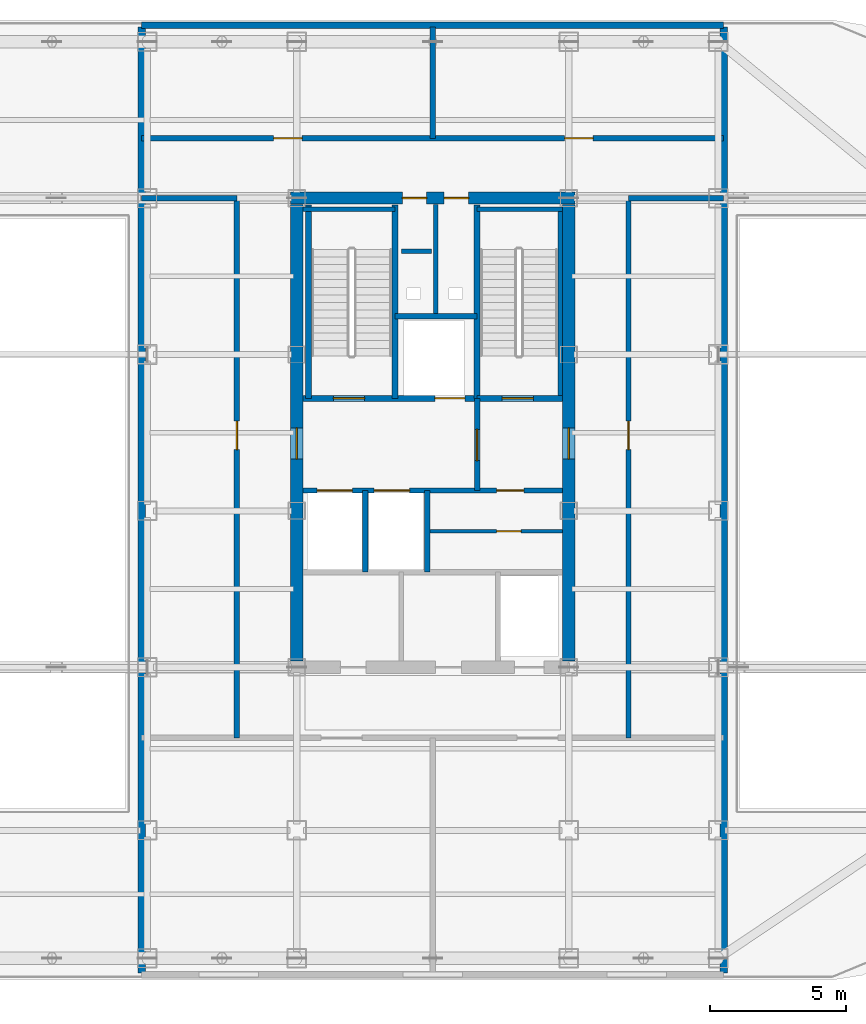
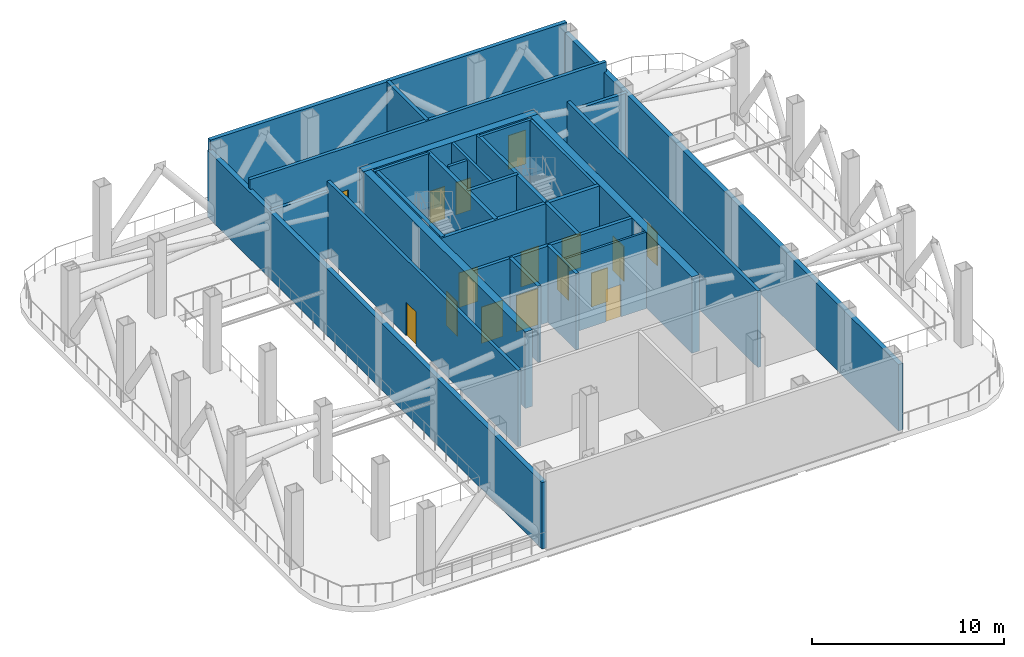
# One storey, part 6 of 10: 28 walls, 16 doors, 16 openings.
"""IFC4 building model written with IfcOpenShell, lengths in metres."""

from ifc_helpers import new_model, si_unit, direction, frame, frame_2d, origin, place, context, subcontext, project, spatial, rectangle, extrude, material, layer, layer_set, type_object, element, fill, save


model = new_model("IFC4")

# Units and contexts
model_context = context("Model", 3, precision=1e-05, world=origin(), true_north=direction((0.0, 1.0)))
body_context = subcontext(model_context, "Body", "Model", "MODEL_VIEW")
ifc_project = project(units=[si_unit("LENGTHUNIT", "METRE"), si_unit("AREAUNIT", "SQUARE_METRE"), si_unit("VOLUMEUNIT", "CUBIC_METRE"), si_unit("PLANEANGLEUNIT", "RADIAN"), si_unit("MASSUNIT", "GRAM", prefix="KILO")], contexts=[model_context])

# Site, building, storey
site_placement = place(None, origin())
site = spatial("IfcSite", under=ifc_project, at=site_placement, CompositionType="ELEMENT")
building_placement = place(site_placement, origin())
building = spatial("IfcBuilding", under=site, at=building_placement, Name="Kolveth Station Tower", CompositionType="ELEMENT")
storey_placement = place(building_placement, frame((0.0, 0.0, 188.10009765625)))
storey = spatial("IfcBuildingStorey", under=building, at=storey_placement, Name="L53", CompositionType="ELEMENT", Elevation=188.10009765625)

# Wall, openings, doors
ifc_material_1 = material(Name="Concrete C50/60", Category="concrete")
ifc_layer_1 = layer(ifc_material_1, 0.449951171875)
ifc_layer_set_1 = layer_set([ifc_layer_1], Name="Concrete C50/60")
wall_type_1 = type_object("IfcWallType", Name="Wall_CW-450", PredefinedType="SHEAR", material=ifc_layer_set_1)
wall_1_placement = place(storey_placement, frame((18.27490234375, 28.75, 0.0), z_axis=(0.0, 0.0, 1.0), x_axis=(1.0, 0.0, 0.0)))
wall_1 = element("IfcWall", 1, at=wall_1_placement, inside=storey, type_object=wall_type_1, Name="L53 Core RC Shear Wall N", PredefinedType="SHEAR", context=body_context, shape_type="SweptSolid", body=[
    extrude(rectangle(XDim=10.4501953125, YDim=0.449951171875, at=frame_2d((5.22509765625, 0.0))), origin(), (0.0, 0.0, 1.0), 4.849853515625),
])
opening_1_placement = place(wall_1_placement, frame((4.10498046875, 0.0, 0.0)))
opening_1 = element("IfcOpeningElement", 2, at=opening_1_placement, cuts=wall_1, Name="Opening RD1", PredefinedType="OPENING", context=body_context, shape_type="SweptSolid", body=[
    extrude(rectangle(XDim=0.89990234375, YDim=2.050048828125, at=frame_2d((0.449951171875, 1.02490234375))), frame((0.0, 0.23486328125, 0.0), z_axis=(0.0, -1.0, 0.0), x_axis=(1.0, 0.0, 0.0)), (0.0, 0.0, 1.0), 0.469970703125),
])
opening_2_placement = place(wall_1_placement, frame((5.64501953125, 0.0, 0.0)))
opening_2 = element("IfcOpeningElement", 3, at=opening_2_placement, cuts=wall_1, Name="Opening RD1", PredefinedType="OPENING", context=body_context, shape_type="SweptSolid", body=[
    extrude(rectangle(XDim=0.89990234375, YDim=2.050048828125, at=frame_2d((0.449951171875, 1.02490234375))), frame((0.0, 0.23486328125, 0.0), z_axis=(0.0, -1.0, 0.0), x_axis=(1.0, 0.0, 0.0)), (0.0, 0.0, 1.0), 0.469970703125),
])
ifc_material_2 = material(Name="Fire-rated Steel S355 riser access leaf", Category="steel")
door_type_1 = type_object("IfcDoorType", Name="Door_RD1", OperationType="NOTDEFINED", PredefinedType="DOOR", material=ifc_material_2)
door_1_placement = place(opening_1_placement, origin())
door_1 = element("IfcDoor", 4, at=door_1_placement, inside=storey, type_object=door_type_1, Name="L53 Electrical Riser Access Door", OperationType="SINGLE_SWING_RIGHT", OverallHeight=2.050048828125, OverallWidth=0.89990234375, PredefinedType="DOOR", context=body_context, shape_type="SweptSolid", body=[
    extrude(rectangle(XDim=0.89990234375, YDim=2.050048828125, at=frame_2d((0.449951171875, 1.02490234375))), frame((0.0, 0.02490234375, 0.0), z_axis=(0.0, -1.0, 0.0), x_axis=(1.0, 0.0, 0.0)), (0.0, 0.0, 1.0), 0.050048828125),
])
fill(opening_1, door_1)
door_2_placement = place(opening_2_placement, origin())
door_2 = element("IfcDoor", 5, at=door_2_placement, inside=storey, type_object=door_type_1, Name="L53 Smoke Duct Access Door", OperationType="SINGLE_SWING_LEFT", OverallHeight=2.050048828125, OverallWidth=0.89990234375, PredefinedType="DOOR", context=body_context, shape_type="SweptSolid", body=[
    extrude(rectangle(XDim=0.89990234375, YDim=2.050048828125, at=frame_2d((0.449951171875, 1.02490234375))), frame((0.0, 0.02490234375, 0.0), z_axis=(0.0, -1.0, 0.0), x_axis=(1.0, 0.0, 0.0)), (0.0, 0.0, 1.0), 0.050048828125),
])
fill(opening_2, door_2)

# Wall, opening, door
wall_2_placement = place(storey_placement, frame((18.5, 11.72509765625, 0.0), z_axis=(0.0, 0.0, 1.0), x_axis=(0.0, 1.0, 0.0)))
wall_2 = element("IfcWall", 6, at=wall_2_placement, inside=storey, type_object=wall_type_1, Name="L53 Core RC Shear Wall W", PredefinedType="SHEAR", context=body_context, shape_type="SweptSolid", body=[
    extrude(rectangle(XDim=16.7998046875, YDim=0.449951171875, at=frame_2d((8.39990234375, 0.0))), origin(), (0.0, 0.0, 1.0), 4.849853515625),
])
opening_3_placement = place(wall_2_placement, frame((7.425048828125, 0.0, 0.0)))
opening_3 = element("IfcOpeningElement", 7, at=opening_3_placement, cuts=wall_2, Name="Opening FD1", PredefinedType="OPENING", context=body_context, shape_type="SweptSolid", body=[
    extrude(rectangle(XDim=1.14990234375, YDim=2.199951171875, at=frame_2d((0.574951171875, 1.10009765625))), frame((0.0, 0.23486328125, 0.0), z_axis=(0.0, -1.0, 0.0), x_axis=(1.0, 0.0, 0.0)), (0.0, 0.0, 1.0), 0.469970703125),
])
ifc_material_3 = material(Name="Fire-rated Steel S355 leaf and frame", Category="steel")
door_type_2 = type_object("IfcDoorType", Name="Door_FD1", OperationType="NOTDEFINED", PredefinedType="DOOR", material=ifc_material_3)
door_3_placement = place(opening_3_placement, frame((1.14990234375, 0.0, 0.0), z_axis=(0.0, 0.0, 1.0), x_axis=(-1.0, 0.0, 0.0)))
door_3 = element("IfcDoor", 8, at=door_3_placement, inside=storey, type_object=door_type_2, Name="L53 West Corridor to Firefighting Lobby Door", OperationType="SINGLE_SWING_RIGHT", OverallHeight=2.199951171875, OverallWidth=1.14990234375, PredefinedType="DOOR", context=body_context, shape_type="SweptSolid", body=[
    extrude(rectangle(XDim=1.14990234375, YDim=2.199951171875, at=frame_2d((0.574951171875, 1.10009765625))), frame((0.0, 0.02490234375, 0.0), z_axis=(0.0, -1.0, 0.0), x_axis=(1.0, 0.0, 0.0)), (0.0, 0.0, 1.0), 0.050048828125),
])
fill(opening_3, door_3)

wall_3_placement = place(storey_placement, frame((28.5, 11.72509765625, 0.0), z_axis=(0.0, 0.0, 1.0), x_axis=(0.0, 1.0, 0.0)))
wall_3 = element("IfcWall", 9, at=wall_3_placement, inside=storey, type_object=wall_type_1, Name="L53 Core RC Shear Wall E", PredefinedType="SHEAR", context=body_context, shape_type="SweptSolid", body=[
    extrude(rectangle(XDim=16.7998046875, YDim=0.449951171875, at=frame_2d((8.39990234375, 0.0))), origin(), (0.0, 0.0, 1.0), 4.849853515625),
])
opening_4_placement = place(wall_3_placement, frame((7.425048828125, 0.0, 0.0)))
opening_4 = element("IfcOpeningElement", 10, at=opening_4_placement, cuts=wall_3, Name="Opening FD1", PredefinedType="OPENING", context=body_context, shape_type="SweptSolid", body=[
    extrude(rectangle(XDim=1.14990234375, YDim=2.199951171875, at=frame_2d((0.574951171875, 1.10009765625))), frame((0.0, 0.23486328125, 0.0), z_axis=(0.0, -1.0, 0.0), x_axis=(1.0, 0.0, 0.0)), (0.0, 0.0, 1.0), 0.469970703125),
])
door_4_placement = place(opening_4_placement, origin())
door_4 = element("IfcDoor", 11, at=door_4_placement, inside=storey, type_object=door_type_2, Name="L53 East Corridor to Stair Lobby Door", OperationType="SINGLE_SWING_LEFT", OverallHeight=2.199951171875, OverallWidth=1.14990234375, PredefinedType="DOOR", context=body_context, shape_type="SweptSolid", body=[
    extrude(rectangle(XDim=1.14990234375, YDim=2.199951171875, at=frame_2d((0.574951171875, 1.10009765625))), frame((0.0, 0.02490234375, 0.0), z_axis=(0.0, -1.0, 0.0), x_axis=(1.0, 0.0, 0.0)), (0.0, 0.0, 1.0), 0.050048828125),
])
fill(opening_4, door_4)

# Walls
ifc_material_4 = material(Name="Precast concrete C40/50", Category="concrete")
ifc_layer_2 = layer(ifc_material_4, 0.239990234375)
ifc_layer_set_2 = layer_set([ifc_layer_2], Name="Precast concrete C40/50")
wall_type_2 = type_object("IfcWallType", Name="Wall_EW-240", PredefinedType="SOLIDWALL", material=ifc_layer_set_2)
wall_4_placement = place(storey_placement, frame((34.199951171875, 35.10009765625, 0.0), z_axis=(0.0, 0.0, 1.0), x_axis=(-1.0, 0.0, 0.0)))
element("IfcWall", 12, at=wall_4_placement, inside=storey, type_object=wall_type_2, Name="L53 Wind-Slot Plant Exterior Wall 2", PredefinedType="SOLIDWALL", context=body_context, shape_type="SweptSolid", body=[
    extrude(rectangle(XDim=21.39990234375, YDim=0.239990234375, at=frame_2d((10.699951171875, 0.0))), origin(), (0.0, 0.0, 1.0), 4.849853515625),
])
ifc_layer_3 = layer(ifc_material_4, 0.280029296875)
ifc_layer_set_3 = layer_set([ifc_layer_3], Name="Precast concrete C40/50")
wall_type_3 = type_object("IfcWallType", Name="Wall_EW-280", PredefinedType="SOLIDWALL", material=ifc_layer_set_3)
for number, where, z_axis, x_axis, name in (
    (13, (12.800048828125, 0.25, 0.0), (0.0, 0.0, 1.0), (0.0, 1.0, 0.0), "L53 Partition Wall WL-L53-WS-W"),
    (14, (34.199951171875, 0.25, 0.0), (0.0, 0.0, 1.0), (0.0, 1.0, 0.0), "L53 Partition Wall WL-L53-WS-E"),
):
    element("IfcWall", number, at=place(storey_placement, frame(where, z_axis=z_axis, x_axis=x_axis)), inside=storey, type_object=wall_type_3, Name=name, PredefinedType="SOLIDWALL", context=body_context, shape_type="SweptSolid", body=[
        extrude(rectangle(XDim=34.800048828125, YDim=0.280029296875, at=frame_2d((17.39990234375, 0.0))), origin(), (0.0, 0.0, 1.0), 4.222900390625),
    ])

# Wall, opening, door
ifc_material_5 = material(Name="Moisture-resistant gypsum partition")
ifc_layer_4 = layer(ifc_material_5, 0.135009765625)
ifc_layer_set_4 = layer_set([ifc_layer_4], Name="Moisture-resistant gypsum partition")
wall_type_4 = type_object("IfcWallType", Name="Wall_IW-135", PredefinedType="PARTITIONING", material=ifc_layer_set_4)
wall_5_placement = place(storey_placement, frame((23.300048828125, 16.5, 0.0), z_axis=(0.0, 0.0, 1.0), x_axis=(1.0, 0.0, 0.0)))
wall_5 = element("IfcWall", 15, at=wall_5_placement, inside=storey, type_object=wall_type_4, Name="L53 Partition Wall WL-L53-CB-H1", PredefinedType="PARTITIONING", context=body_context, shape_type="SweptSolid", body=[
    extrude(rectangle(XDim=4.96484375, YDim=0.135009765625, at=frame_2d((2.482421875, 0.0))), origin(), (0.0, 0.0, 1.0), 4.849853515625),
])
opening_5_placement = place(wall_5_placement, frame((2.550048828125, 0.0, 0.0)))
opening_5 = element("IfcOpeningElement", 16, at=opening_5_placement, cuts=wall_5, Name="Opening RD1", PredefinedType="OPENING", context=body_context, shape_type="SweptSolid", body=[
    extrude(rectangle(XDim=0.89990234375, YDim=2.050048828125, at=frame_2d((0.449951171875, 1.02490234375))), frame((0.0, 0.077392578125, 0.0), z_axis=(0.0, -1.0, 0.0), x_axis=(1.0, 0.0, 0.0)), (0.0, 0.0, 1.0), 0.155029296875),
])
door_5_placement = place(opening_5_placement, frame((0.89990234375, 0.0, 0.0), z_axis=(0.0, 0.0, 1.0), x_axis=(-1.0, 0.0, 0.0)))
door_5 = element("IfcDoor", 17, at=door_5_placement, inside=storey, type_object=door_type_1, Name="L53 Core Equipment Store Door", OperationType="SINGLE_SWING_LEFT", OverallHeight=2.050048828125, OverallWidth=0.89990234375, PredefinedType="DOOR", context=body_context, shape_type="SweptSolid", body=[
    extrude(rectangle(XDim=0.89990234375, YDim=2.050048828125, at=frame_2d((0.449951171875, 1.02490234375))), frame((0.0, 0.02490234375, 0.0), z_axis=(0.0, -1.0, 0.0), x_axis=(1.0, 0.0, 0.0)), (0.0, 0.0, 1.0), 0.050048828125),
])
fill(opening_5, door_5)

# Walls
ifc_material_6 = material(Name="Acoustic double-stud gypsum partition")
ifc_layer_5 = layer(ifc_material_6, 0.1650390625)
ifc_layer_set_5 = layer_set([ifc_layer_5], Name="Acoustic double-stud gypsum partition")
wall_type_5 = type_object("IfcWallType", Name="Wall_IW-165", PredefinedType="PARTITIONING", material=ifc_layer_set_5)
wall_6_placement = place(storey_placement, frame((18.735107421875, 28.3349609375, 0.0), z_axis=(0.0, 0.0, 1.0), x_axis=(1.0, 0.0, 0.0)))
element("IfcWall", 18, at=wall_6_placement, inside=storey, type_object=wall_type_5, Name="L53 Stair Shaft Wall WL-L53-ST1-N", PredefinedType="PARTITIONING", context=body_context, shape_type="SweptSolid", body=[
    extrude(rectangle(XDim=3.375, YDim=0.1650390625, at=frame_2d((1.6875, 0.0))), origin(), (0.0, 0.0, 1.0), 4.849853515625),
])
wall_7_placement = place(storey_placement, frame((25.1298828125, 28.3349609375, 0.0), z_axis=(0.0, 0.0, 1.0), x_axis=(1.0, 0.0, 0.0)))
element("IfcWall", 19, at=wall_7_placement, inside=storey, type_object=wall_type_5, Name="L53 Stair Shaft Wall WL-L53-ST2-N", PredefinedType="PARTITIONING", context=body_context, shape_type="SweptSolid", body=[
    extrude(rectangle(XDim=3.135009765625, YDim=0.1650390625, at=frame_2d((1.5673828125, 0.0))), origin(), (0.0, 0.0, 1.0), 4.849853515625),
])
wall_8_placement = place(storey_placement, frame((28.1826171875, 21.389892578125, 0.0), z_axis=(0.0, 0.0, 1.0), x_axis=(0.0, 1.0, 0.0)))
element("IfcWall", 20, at=wall_8_placement, inside=storey, type_object=wall_type_5, Name="L53 Stair Shaft Wall WL-L53-ST2-E", PredefinedType="PARTITIONING", context=body_context, shape_type="SweptSolid", body=[
    extrude(rectangle(XDim=6.945068359375, YDim=0.1650390625, at=frame_2d((3.47265625, 0.0))), origin(), (0.0, 0.0, 1.0), 4.849853515625),
])
wall_9_placement = place(storey_placement, frame((23.6201171875, 24.39990234375, 0.0), z_axis=(0.0, 0.0, 1.0), x_axis=(0.0, 1.0, 0.0)))
element("IfcWall", 21, at=wall_9_placement, inside=storey, type_object=wall_type_5, Name="L53 Partition Wall WL-L53-RSR-M", PredefinedType="PARTITIONING", context=body_context, shape_type="SweptSolid", body=[
    extrude(rectangle(XDim=4.114990234375, YDim=0.1650390625, at=frame_2d((2.0576171875, 0.0))), origin(), (0.0, 0.0, 1.0), 4.849853515625),
])
wall_10_placement = place(storey_placement, frame((22.35009765625, 26.800048828125, 0.0), z_axis=(0.0, 0.0, 1.0), x_axis=(1.0, 0.0, 0.0)))
element("IfcWall", 22, at=wall_10_placement, inside=storey, type_object=wall_type_5, Name="L53 Acoustic Riser Dry-Lining Wall", PredefinedType="PARTITIONING", context=body_context, shape_type="SweptSolid", body=[
    extrude(rectangle(XDim=1.099853515625, YDim=0.1650390625, at=frame_2d((0.5498046875, 0.0))), origin(), (0.0, 0.0, 1.0), 4.849853515625),
])
ifc_material_7 = material(Name="Acoustic fire-rated gypsum blockwork", Category="masonry")
ifc_layer_6 = layer(ifc_material_7, 0.199951171875)
ifc_layer_set_6 = layer_set([ifc_layer_6], Name="Acoustic fire-rated gypsum blockwork")
wall_type_6 = type_object("IfcWallType", Name="Wall_IW-200", PredefinedType="PARTITIONING", material=ifc_layer_set_6)
wall_11_placement = place(storey_placement, frame((22.110107421875, 24.39990234375, 0.0), z_axis=(0.0, 0.0, 1.0), x_axis=(1.0, 0.0, 0.0)))
element("IfcWall", 23, at=wall_11_placement, inside=storey, type_object=wall_type_6, Name="L53 Partition Wall WL-L53-RSR-S", PredefinedType="PARTITIONING", context=body_context, shape_type="SweptSolid", body=[
    extrude(rectangle(XDim=3.019775390625, YDim=0.199951171875, at=frame_2d((1.509765625, 0.0))), origin(), (0.0, 0.0, 1.0), 4.849853515625),
])

# Wall, opening, door
wall_12_placement = place(storey_placement, frame((25.1298828125, 18.0, 0.0), z_axis=(0.0, 0.0, 1.0), x_axis=(0.0, 1.0, 0.0)))
wall_12 = element("IfcWall", 24, at=wall_12_placement, inside=storey, type_object=wall_type_6, Name="L53 Partition Wall WL-L53-FFL-E", PredefinedType="PARTITIONING", context=body_context, shape_type="SweptSolid", body=[
    extrude(rectangle(XDim=3.389892578125, YDim=0.199951171875, at=frame_2d((1.69482421875, 0.0))), origin(), (0.0, 0.0, 1.0), 4.849853515625),
])
opening_6_placement = place(wall_12_placement, frame((1.10009765625, 0.0, 0.0)))
opening_6 = element("IfcOpeningElement", 25, at=opening_6_placement, cuts=wall_12, Name="Opening FD1", PredefinedType="OPENING", context=body_context, shape_type="SweptSolid", body=[
    extrude(rectangle(XDim=1.14990234375, YDim=2.199951171875, at=frame_2d((0.574951171875, 1.10009765625))), frame((0.0, 0.10986328125, 0.0), z_axis=(0.0, -1.0, 0.0), x_axis=(1.0, 0.0, 0.0)), (0.0, 0.0, 1.0), 0.219970703125),
])
door_6_placement = place(opening_6_placement, origin())
door_6 = element("IfcDoor", 26, at=door_6_placement, inside=storey, type_object=door_type_2, Name="L53 Firefighting to Stair Lobby Door", OperationType="SINGLE_SWING_LEFT", OverallHeight=2.199951171875, OverallWidth=1.14990234375, PredefinedType="DOOR", context=body_context, shape_type="SweptSolid", body=[
    extrude(rectangle(XDim=1.14990234375, YDim=2.199951171875, at=frame_2d((0.574951171875, 1.10009765625))), frame((0.0, 0.02490234375, 0.0), z_axis=(0.0, -1.0, 0.0), x_axis=(1.0, 0.0, 0.0)), (0.0, 0.0, 1.0), 0.050048828125),
])
fill(opening_6, door_6)

# Wall, openings, doors
wall_13_placement = place(storey_placement, frame((18.735107421875, 18.0, 0.0), z_axis=(0.0, 0.0, 1.0), x_axis=(1.0, 0.0, 0.0)))
wall_13 = element("IfcWall", 27, at=wall_13_placement, inside=storey, type_object=wall_type_6, Name="L53 Partition Wall WL-L53-FFL-S", PredefinedType="PARTITIONING", context=body_context, shape_type="SweptSolid", body=[
    extrude(rectangle(XDim=9.52978515625, YDim=0.199951171875, at=frame_2d((4.764892578125, 0.0))), origin(), (0.0, 0.0, 1.0), 4.849853515625),
])
opening_7_placement = place(wall_13_placement, frame((0.514892578125, 0.0, 0.0)))
opening_7 = element("IfcOpeningElement", 28, at=opening_7_placement, cuts=wall_13, Name="Opening LD2", PredefinedType="OPENING", context=body_context, shape_type="SweptSolid", body=[
    extrude(rectangle(XDim=1.300048828125, YDim=2.300048828125, at=frame_2d((0.64990234375, 1.14990234375))), frame((0.0, 0.10986328125, 0.0), z_axis=(0.0, -1.0, 0.0), x_axis=(1.0, 0.0, 0.0)), (0.0, 0.0, 1.0), 0.219970703125),
])
opening_8_placement = place(wall_13_placement, frame((2.614990234375, 0.0, 0.0)))
opening_8 = element("IfcOpeningElement", 29, at=opening_8_placement, cuts=wall_13, Name="Opening LD2", PredefinedType="OPENING", context=body_context, shape_type="SweptSolid", body=[
    extrude(rectangle(XDim=1.300048828125, YDim=2.300048828125, at=frame_2d((0.64990234375, 1.14990234375))), frame((0.0, 0.10986328125, 0.0), z_axis=(0.0, -1.0, 0.0), x_axis=(1.0, 0.0, 0.0)), (0.0, 0.0, 1.0), 0.219970703125),
])
opening_9_placement = place(wall_13_placement, frame((7.114990234375, 0.0, 0.0)))
opening_9 = element("IfcOpeningElement", 30, at=opening_9_placement, cuts=wall_13, Name="Opening FD3", PredefinedType="OPENING", context=body_context, shape_type="SweptSolid", body=[
    extrude(rectangle(XDim=1.0, YDim=2.14990234375, at=frame_2d((0.5, 1.074951171875))), frame((0.0, 0.10986328125, 0.0), z_axis=(0.0, -1.0, 0.0), x_axis=(1.0, 0.0, 0.0)), (0.0, 0.0, 1.0), 0.219970703125),
])
ifc_material_8 = material(Name="Fire-rated hardwood leaf and aluminium frame", Category="wood")
door_type_3 = type_object("IfcDoorType", Name="Door_FD3", OperationType="NOTDEFINED", PredefinedType="DOOR", material=ifc_material_8)
door_7_placement = place(opening_9_placement, frame((1.0, 0.0, 0.0), z_axis=(0.0, 0.0, 1.0), x_axis=(-1.0, 0.0, 0.0)))
door_7 = element("IfcDoor", 31, at=door_7_placement, inside=storey, type_object=door_type_3, Name="L53 Core Linen and Supply Store Door", OperationType="SINGLE_SWING_RIGHT", OverallHeight=2.14990234375, OverallWidth=1.0, PredefinedType="DOOR", context=body_context, shape_type="SweptSolid", body=[
    extrude(rectangle(XDim=1.0, YDim=2.14990234375, at=frame_2d((0.5, 1.074951171875))), frame((0.0, 0.02490234375, 0.0), z_axis=(0.0, -1.0, 0.0), x_axis=(1.0, 0.0, 0.0)), (0.0, 0.0, 1.0), 0.050048828125),
])
fill(opening_9, door_7)
ifc_material_9 = material(Name="Firefighting stainless steel sliding landing doors", Category="steel")
door_type_4 = type_object("IfcDoorType", Name="Door_LD2", OperationType="NOTDEFINED", PredefinedType="DOOR", material=ifc_material_9)
door_8_placement = place(opening_7_placement, origin())
door_8 = element("IfcDoor", 32, at=door_8_placement, inside=storey, type_object=door_type_4, Name="L53 Firefighting Lift FF1 Landing Door", OperationType="DOUBLE_DOOR_SLIDING", OverallHeight=2.300048828125, OverallWidth=1.300048828125, PredefinedType="DOOR", context=body_context, shape_type="SweptSolid", body=[
    extrude(rectangle(XDim=1.300048828125, YDim=2.300048828125, at=frame_2d((0.64990234375, 1.14990234375))), frame((0.0, 0.02490234375, 0.0), z_axis=(0.0, -1.0, 0.0), x_axis=(1.0, 0.0, 0.0)), (0.0, 0.0, 1.0), 0.050048828125),
])
fill(opening_7, door_8)
door_9_placement = place(opening_8_placement, origin())
door_9 = element("IfcDoor", 33, at=door_9_placement, inside=storey, type_object=door_type_4, Name="L53 Firefighting Lift FF2 Landing Door", OperationType="DOUBLE_DOOR_SLIDING", OverallHeight=2.300048828125, OverallWidth=1.300048828125, PredefinedType="DOOR", context=body_context, shape_type="SweptSolid", body=[
    extrude(rectangle(XDim=1.300048828125, YDim=2.300048828125, at=frame_2d((0.64990234375, 1.14990234375))), frame((0.0, 0.02490234375, 0.0), z_axis=(0.0, -1.0, 0.0), x_axis=(1.0, 0.0, 0.0)), (0.0, 0.0, 1.0), 0.050048828125),
])
fill(opening_8, door_9)

# Walls
for number, where, z_axis, x_axis, name in (
    (34, (21.02001953125, 15.0, 0.0), (0.0, 0.0, 1.0), (0.0, 1.0, 0.0), "L53 Partition Wall WL-L53-FF12"),
    (35, (23.300048828125, 15.0, 0.0), (0.0, 0.0, 1.0), (0.0, 1.0, 0.0), "L53 Partition Wall WL-L53-FF2E"),
):
    element("IfcWall", number, at=place(storey_placement, frame(where, z_axis=z_axis, x_axis=x_axis)), inside=storey, type_object=wall_type_6, Name=name, PredefinedType="PARTITIONING", context=body_context, shape_type="SweptSolid", body=[
        extrude(rectangle(XDim=3.0, YDim=0.199951171875, at=frame_2d((1.5, 0.0))), origin(), (0.0, 0.0, 1.0), 4.849853515625),
    ])

# Wall, openings, doors
wall_14_placement = place(storey_placement, frame((12.800048828125, 30.949951171875, 0.0), z_axis=(0.0, 0.0, 1.0), x_axis=(1.0, 0.0, 0.0)))
wall_14 = element("IfcWall", 36, at=wall_14_placement, inside=storey, type_object=wall_type_6, Name="L53 Partition Wall WL-L53-PR-N", PredefinedType="PARTITIONING", context=body_context, shape_type="SweptSolid", body=[
    extrude(rectangle(XDim=21.39990234375, YDim=0.199951171875, at=frame_2d((10.699951171875, 0.0))), origin(), (0.0, 0.0, 1.0), 4.849853515625),
])
opening_10_placement = place(wall_14_placement, frame((4.85009765625, 0.0, 0.0)))
opening_10 = element("IfcOpeningElement", 37, at=opening_10_placement, cuts=wall_14, Name="Opening FD2", PredefinedType="OPENING", context=body_context, shape_type="SweptSolid", body=[
    extrude(rectangle(XDim=1.050048828125, YDim=2.14990234375, at=frame_2d((0.52490234375, 1.074951171875))), frame((0.0, 0.10986328125, 0.0), z_axis=(0.0, -1.0, 0.0), x_axis=(1.0, 0.0, 0.0)), (0.0, 0.0, 1.0), 0.219970703125),
])
opening_11_placement = place(wall_14_placement, frame((15.550048828125, 0.0, 0.0)))
opening_11 = element("IfcOpeningElement", 38, at=opening_11_placement, cuts=wall_14, Name="Opening FD2", PredefinedType="OPENING", context=body_context, shape_type="SweptSolid", body=[
    extrude(rectangle(XDim=1.050048828125, YDim=2.14990234375, at=frame_2d((0.52490234375, 1.074951171875))), frame((0.0, 0.10986328125, 0.0), z_axis=(0.0, -1.0, 0.0), x_axis=(1.0, 0.0, 0.0)), (0.0, 0.0, 1.0), 0.219970703125),
])
door_type_5 = type_object("IfcDoorType", Name="Door_FD2", OperationType="NOTDEFINED", PredefinedType="DOOR", material=ifc_material_3)
door_10_placement = place(opening_10_placement, origin())
door_10 = element("IfcDoor", 39, at=door_10_placement, inside=storey, type_object=door_type_5, Name="L53 Heat Rejection Fan Plant Room Door", OperationType="SINGLE_SWING_RIGHT", OverallHeight=2.14990234375, OverallWidth=1.050048828125, PredefinedType="DOOR", context=body_context, shape_type="SweptSolid", body=[
    extrude(rectangle(XDim=1.050048828125, YDim=2.14990234375, at=frame_2d((0.52490234375, 1.074951171875))), frame((0.0, 0.02490234375, 0.0), z_axis=(0.0, -1.0, 0.0), x_axis=(1.0, 0.0, 0.0)), (0.0, 0.0, 1.0), 0.050048828125),
])
fill(opening_10, door_10)
door_11_placement = place(opening_11_placement, origin())
door_11 = element("IfcDoor", 40, at=door_11_placement, inside=storey, type_object=door_type_5, Name="L53 Domestic Booster Pump Room Door", OperationType="SINGLE_SWING_LEFT", OverallHeight=2.14990234375, OverallWidth=1.050048828125, PredefinedType="DOOR", context=body_context, shape_type="SweptSolid", body=[
    extrude(rectangle(XDim=1.050048828125, YDim=2.14990234375, at=frame_2d((0.52490234375, 1.074951171875))), frame((0.0, 0.02490234375, 0.0), z_axis=(0.0, -1.0, 0.0), x_axis=(1.0, 0.0, 0.0)), (0.0, 0.0, 1.0), 0.050048828125),
])
fill(opening_11, door_11)

# Wall, opening, door
wall_15_placement = place(storey_placement, frame((16.300048828125, 8.89990234375, 0.0), z_axis=(0.0, 0.0, 1.0), x_axis=(0.0, 1.0, 0.0)))
wall_15 = element("IfcWall", 41, at=wall_15_placement, inside=storey, type_object=wall_type_6, Name="L53 Partition Wall WL-L53-PR-W", PredefinedType="PARTITIONING", context=body_context, shape_type="SweptSolid", body=[
    extrude(rectangle(XDim=19.85009765625, YDim=0.199951171875, at=frame_2d((9.925048828125, 0.0))), origin(), (0.0, 0.0, 1.0), 4.849853515625),
])
opening_12_placement = place(wall_15_placement, frame((10.60009765625, 0.0, 0.0)))
opening_12 = element("IfcOpeningElement", 42, at=opening_12_placement, cuts=wall_15, Name="Opening FD2", PredefinedType="OPENING", context=body_context, shape_type="SweptSolid", body=[
    extrude(rectangle(XDim=1.050048828125, YDim=2.14990234375, at=frame_2d((0.52490234375, 1.074951171875))), frame((0.0, 0.10986328125, 0.0), z_axis=(0.0, -1.0, 0.0), x_axis=(1.0, 0.0, 0.0)), (0.0, 0.0, 1.0), 0.219970703125),
])
door_12_placement = place(opening_12_placement, frame((1.050048828125, 0.0, 0.0), z_axis=(0.0, 0.0, 1.0), x_axis=(-1.0, 0.0, 0.0)))
door_12 = element("IfcDoor", 43, at=door_12_placement, inside=storey, type_object=door_type_5, Name="L53 Harmonic Filter Plant Door", OperationType="SINGLE_SWING_RIGHT", OverallHeight=2.14990234375, OverallWidth=1.050048828125, PredefinedType="DOOR", context=body_context, shape_type="SweptSolid", body=[
    extrude(rectangle(XDim=1.050048828125, YDim=2.14990234375, at=frame_2d((0.52490234375, 1.074951171875))), frame((0.0, 0.02490234375, 0.0), z_axis=(0.0, -1.0, 0.0), x_axis=(1.0, 0.0, 0.0)), (0.0, 0.0, 1.0), 0.050048828125),
])
fill(opening_12, door_12)

wall_16_placement = place(storey_placement, frame((30.699951171875, 8.89990234375, 0.0), z_axis=(0.0, 0.0, 1.0), x_axis=(0.0, 1.0, 0.0)))
wall_16 = element("IfcWall", 44, at=wall_16_placement, inside=storey, type_object=wall_type_6, Name="L53 Partition Wall WL-L53-PR-E", PredefinedType="PARTITIONING", context=body_context, shape_type="SweptSolid", body=[
    extrude(rectangle(XDim=19.85009765625, YDim=0.199951171875, at=frame_2d((9.925048828125, 0.0))), origin(), (0.0, 0.0, 1.0), 4.849853515625),
])
opening_13_placement = place(wall_16_placement, frame((10.60009765625, 0.0, 0.0)))
opening_13 = element("IfcOpeningElement", 45, at=opening_13_placement, cuts=wall_16, Name="Opening FD2", PredefinedType="OPENING", context=body_context, shape_type="SweptSolid", body=[
    extrude(rectangle(XDim=1.050048828125, YDim=2.14990234375, at=frame_2d((0.52490234375, 1.074951171875))), frame((0.0, 0.10986328125, 0.0), z_axis=(0.0, -1.0, 0.0), x_axis=(1.0, 0.0, 0.0)), (0.0, 0.0, 1.0), 0.219970703125),
])
door_13_placement = place(opening_13_placement, origin())
door_13 = element("IfcDoor", 46, at=door_13_placement, inside=storey, type_object=door_type_5, Name="L53 Telemetry Plant Door", OperationType="SINGLE_SWING_LEFT", OverallHeight=2.14990234375, OverallWidth=1.050048828125, PredefinedType="DOOR", context=body_context, shape_type="SweptSolid", body=[
    extrude(rectangle(XDim=1.050048828125, YDim=2.14990234375, at=frame_2d((0.52490234375, 1.074951171875))), frame((0.0, 0.02490234375, 0.0), z_axis=(0.0, -1.0, 0.0), x_axis=(1.0, 0.0, 0.0)), (0.0, 0.0, 1.0), 0.050048828125),
])
fill(opening_13, door_13)

# Walls
for number, where, z_axis, x_axis, name in (
    (47, (12.800048828125, 28.75, 0.0), (0.0, 0.0, 1.0), (1.0, 0.0, 0.0), "L53 Partition Wall WL-L53-WS-WN"),
    (48, (30.699951171875, 28.75, 0.0), (0.0, 0.0, 1.0), (1.0, 0.0, 0.0), "L53 Partition Wall WL-L53-WS-EN"),
):
    element("IfcWall", number, at=place(storey_placement, frame(where, z_axis=z_axis, x_axis=x_axis)), inside=storey, type_object=wall_type_6, Name=name, PredefinedType="PARTITIONING", context=body_context, shape_type="SweptSolid", body=[
        extrude(rectangle(XDim=3.5, YDim=0.199951171875, at=frame_2d((1.75, 0.0))), origin(), (0.0, 0.0, 1.0), 4.222900390625),
    ])
wall_17_placement = place(storey_placement, frame((23.5, 30.949951171875, 0.0), z_axis=(0.0, 0.0, 1.0), x_axis=(0.0, 1.0, 0.0)))
element("IfcWall", 49, at=wall_17_placement, inside=storey, type_object=wall_type_6, Name="L53 Partition Wall WL-L53-PN-P1", PredefinedType="PARTITIONING", context=body_context, shape_type="SweptSolid", body=[
    extrude(rectangle(XDim=4.10009765625, YDim=0.199951171875, at=frame_2d((2.050048828125, 0.0))), origin(), (0.0, 0.0, 1.0), 4.849853515625),
])
ifc_material_10 = material(Name="Concrete C40/50", Category="concrete")
ifc_layer_7 = layer(ifc_material_10, 0.219970703125)
ifc_layer_set_7 = layer_set([ifc_layer_7], Name="Concrete C40/50")
wall_type_7 = type_object("IfcWallType", Name="Wall_IW-220", PredefinedType="SOLIDWALL", material=ifc_layer_set_7)
for number, where, z_axis, x_axis, name in (
    (50, (18.929931640625, 21.389892578125, 0.0), (0.0, 0.0, 1.0), (0.0, 1.0, 0.0), "L53 Stair Shaft Wall WL-L53-ST1-W"),
    (51, (22.110107421875, 21.389892578125, 0.0), (0.0, 0.0, 1.0), (0.0, 1.0, 0.0), "L53 Stair Shaft Wall WL-L53-ST1-E"),
    (52, (25.1298828125, 21.389892578125, 0.0), (0.0, 0.0, 1.0), (0.0, 1.0, 0.0), "L53 Stair Shaft Wall WL-L53-ST2-W"),
):
    element("IfcWall", number, at=place(storey_placement, frame(where, z_axis=z_axis, x_axis=x_axis)), inside=storey, type_object=wall_type_7, Name=name, PredefinedType="SOLIDWALL", context=body_context, shape_type="SweptSolid", body=[
        extrude(rectangle(XDim=7.110107421875, YDim=0.219970703125, at=frame_2d((3.55517578125, 0.0))), origin(), (0.0, 0.0, 1.0), 4.849853515625),
    ])

# Wall, openings, doors
wall_18_placement = place(storey_placement, frame((18.735107421875, 21.389892578125, 0.0), z_axis=(0.0, 0.0, 1.0), x_axis=(1.0, 0.0, 0.0)))
wall_18 = element("IfcWall", 53, at=wall_18_placement, inside=storey, type_object=wall_type_7, Name="L53 Stair Shaft Wall WL-L53-ST1-S", PredefinedType="SOLIDWALL", context=body_context, shape_type="SweptSolid", body=[
    extrude(rectangle(XDim=6.394775390625, YDim=0.219970703125, at=frame_2d((3.197265625, 0.0))), origin(), (0.0, 0.0, 1.0), 4.849853515625),
])
opening_14_placement = place(wall_18_placement, frame((1.114990234375, 0.0, 0.0)))
opening_14 = element("IfcOpeningElement", 54, at=opening_14_placement, cuts=wall_18, Name="Opening FD1", PredefinedType="OPENING", context=body_context, shape_type="SweptSolid", body=[
    extrude(rectangle(XDim=1.14990234375, YDim=2.199951171875, at=frame_2d((0.574951171875, 1.10009765625))), frame((0.0, 0.119873046875, 0.0), z_axis=(0.0, -1.0, 0.0), x_axis=(1.0, 0.0, 0.0)), (0.0, 0.0, 1.0), 0.239990234375),
])
opening_15_placement = place(wall_18_placement, frame((4.844970703125, 0.0, 0.0)))
opening_15 = element("IfcOpeningElement", 55, at=opening_15_placement, cuts=wall_18, Name="Opening LD1", PredefinedType="OPENING", context=body_context, shape_type="SweptSolid", body=[
    extrude(rectangle(XDim=1.10009765625, YDim=2.25, at=frame_2d((0.550048828125, 1.125))), frame((0.0, 0.119873046875, 0.0), z_axis=(0.0, -1.0, 0.0), x_axis=(1.0, 0.0, 0.0)), (0.0, 0.0, 1.0), 0.239990234375),
])
door_14_placement = place(opening_14_placement, frame((1.14990234375, 0.0, 0.0), z_axis=(0.0, 0.0, 1.0), x_axis=(-1.0, 0.0, 0.0)))
door_14 = element("IfcDoor", 56, at=door_14_placement, inside=storey, type_object=door_type_2, Name="L53 Stair ST1 Fire Door", OperationType="SINGLE_SWING_LEFT", OverallHeight=2.199951171875, OverallWidth=1.14990234375, PredefinedType="DOOR", context=body_context, shape_type="SweptSolid", body=[
    extrude(rectangle(XDim=1.14990234375, YDim=2.199951171875, at=frame_2d((0.574951171875, 1.10009765625))), frame((0.0, 0.02490234375, 0.0), z_axis=(0.0, -1.0, 0.0), x_axis=(1.0, 0.0, 0.0)), (0.0, 0.0, 1.0), 0.050048828125),
])
fill(opening_14, door_14)
ifc_material_11 = material(Name="Brushed stainless steel sliding landing doors", Category="steel")
door_type_6 = type_object("IfcDoorType", Name="Door_LD1", OperationType="NOTDEFINED", PredefinedType="DOOR", material=ifc_material_11)
door_15_placement = place(opening_15_placement, frame((1.10009765625, 0.0, 0.0), z_axis=(0.0, 0.0, 1.0), x_axis=(-1.0, 0.0, 0.0)))
door_15 = element("IfcDoor", 57, at=door_15_placement, inside=storey, type_object=door_type_6, Name="L53 Service Lift SV1 Landing Door", OperationType="DOUBLE_DOOR_SLIDING", OverallHeight=2.25, OverallWidth=1.10009765625, PredefinedType="DOOR", context=body_context, shape_type="SweptSolid", body=[
    extrude(rectangle(XDim=1.10009765625, YDim=2.25, at=frame_2d((0.550048828125, 1.125))), frame((0.0, 0.02490234375, 0.0), z_axis=(0.0, -1.0, 0.0), x_axis=(1.0, 0.0, 0.0)), (0.0, 0.0, 1.0), 0.050048828125),
])
fill(opening_15, door_15)

# Wall, opening, door
wall_19_placement = place(storey_placement, frame((25.1298828125, 21.389892578125, 0.0), z_axis=(0.0, 0.0, 1.0), x_axis=(1.0, 0.0, 0.0)))
wall_19 = element("IfcWall", 58, at=wall_19_placement, inside=storey, type_object=wall_type_7, Name="L53 Stair Shaft Wall WL-L53-ST2-S", PredefinedType="SOLIDWALL", context=body_context, shape_type="SweptSolid", body=[
    extrude(rectangle(XDim=3.135009765625, YDim=0.219970703125, at=frame_2d((1.5673828125, 0.0))), origin(), (0.0, 0.0, 1.0), 4.849853515625),
])
opening_16_placement = place(wall_19_placement, frame((0.919921875, 0.0, 0.0)))
opening_16 = element("IfcOpeningElement", 59, at=opening_16_placement, cuts=wall_19, Name="Opening FD1", PredefinedType="OPENING", context=body_context, shape_type="SweptSolid", body=[
    extrude(rectangle(XDim=1.14990234375, YDim=2.199951171875, at=frame_2d((0.574951171875, 1.10009765625))), frame((0.0, 0.119873046875, 0.0), z_axis=(0.0, -1.0, 0.0), x_axis=(1.0, 0.0, 0.0)), (0.0, 0.0, 1.0), 0.239990234375),
])
door_16_placement = place(opening_16_placement, frame((1.14990234375, 0.0, 0.0), z_axis=(0.0, 0.0, 1.0), x_axis=(-1.0, 0.0, 0.0)))
door_16 = element("IfcDoor", 60, at=door_16_placement, inside=storey, type_object=door_type_2, Name="L53 Stair ST2 Fire Door", OperationType="SINGLE_SWING_RIGHT", OverallHeight=2.199951171875, OverallWidth=1.14990234375, PredefinedType="DOOR", context=body_context, shape_type="SweptSolid", body=[
    extrude(rectangle(XDim=1.14990234375, YDim=2.199951171875, at=frame_2d((0.574951171875, 1.10009765625))), frame((0.0, 0.02490234375, 0.0), z_axis=(0.0, -1.0, 0.0), x_axis=(1.0, 0.0, 0.0)), (0.0, 0.0, 1.0), 0.050048828125),
])
fill(opening_16, door_16)

save(model, "model.ifc")
